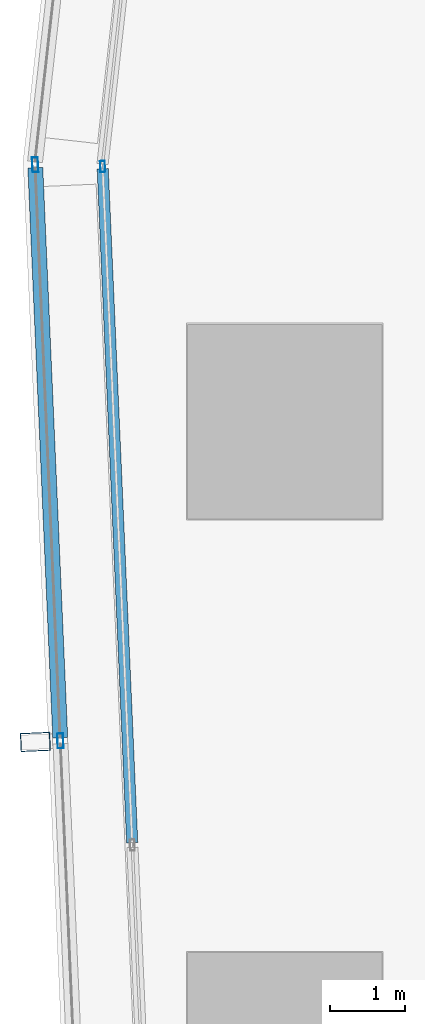
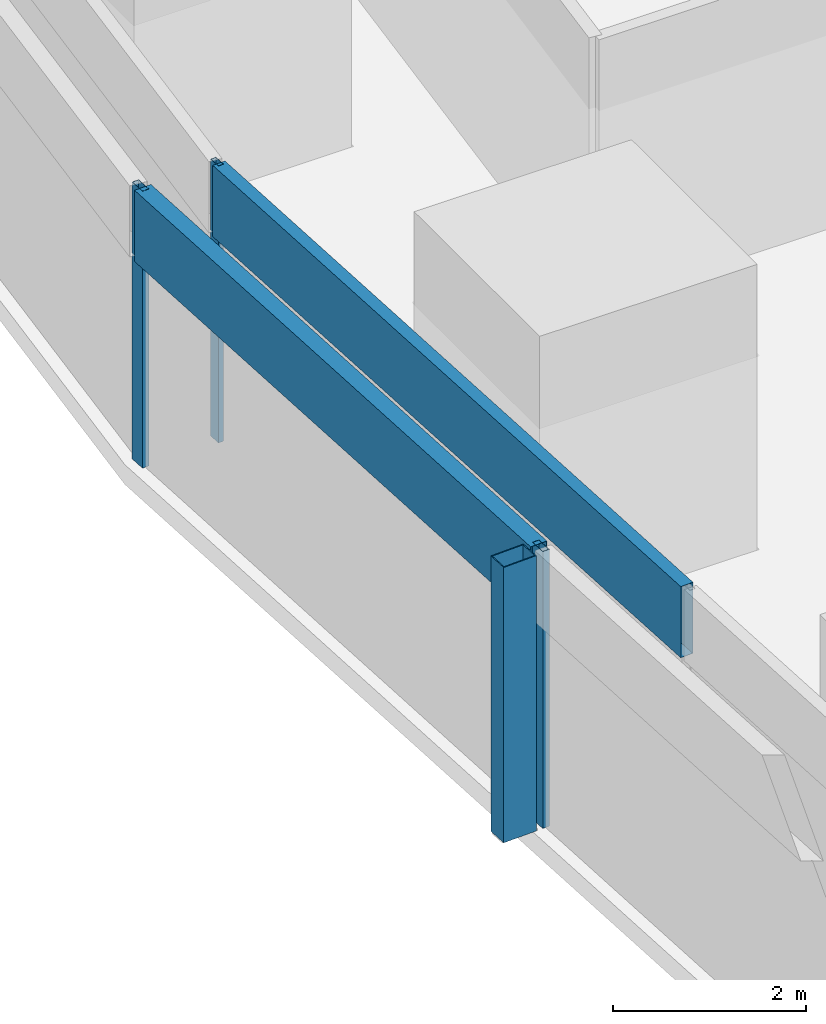
# One storey, part 14 of 46: 6 members, 2 elements without a shape of their own.
"""IFC4 building model written with IfcOpenShell, lengths in metres."""

from ifc_helpers import new_model, si_unit, direction, frame, origin, origin_2d, place, context, subcontext, project, spatial, hollow_rectangle, extrude, material, material_profile, profile_set, type_object, element, aggregate, save


model = new_model("IFC4")

# Units and contexts
model_context = context("Model", 3, precision=1e-05, world=origin(), true_north=direction((0.0, 1.0)))
body_context = subcontext(model_context, "Body", "Model", "MODEL_VIEW")
ifc_project = project(units=[si_unit("LENGTHUNIT", "METRE"), si_unit("AREAUNIT", "SQUARE_METRE"), si_unit("VOLUMEUNIT", "CUBIC_METRE"), si_unit("PLANEANGLEUNIT", "RADIAN"), si_unit("MASSUNIT", "GRAM", prefix="KILO")], contexts=[model_context])

# Site, building, storey
site_placement = place(None, origin())
site = spatial("IfcSite", under=ifc_project, at=site_placement, CompositionType="ELEMENT")
building_placement = place(site_placement, origin())
building = spatial("IfcBuilding", under=site, at=building_placement, Name="Rekha Terrace Tower", CompositionType="ELEMENT")
storey_placement = place(building_placement, frame((0.0, 0.0, 29.14990234375)))
storey = spatial("IfcBuildingStorey", under=building, at=storey_placement, Name="L06", CompositionType="ELEMENT", Elevation=29.14990234375)

# Curtain wall, member
ifc_material_1 = material(Name="Aluminium framing", Category="aluminium")
curtain_wall_type_1 = type_object("IfcCurtainWallType", Name="CW2 double skin outer glazing", PredefinedType="USERDEFINED", material=ifc_material_1)
curtain_wall_1_placement = place(storey_placement, origin())
curtain_wall_1 = element("IfcCurtainWall", 1, at=curtain_wall_1_placement, inside=storey, type_object=curtain_wall_type_1, Name="CW2 double skin outer glazing", ObjectType="DOUBLE SKIN OUTER GLAZING", PredefinedType="USERDEFINED")
ifc_material_2 = material(Name="Steel S355 with fluorocarbon finish", Category="steel")
ifc_material_profile_1 = material_profile(ifc_material_2, hollow_rectangle(XDim=0.25, YDim=0.39990234375, WallThickness=0.012451171875, at=origin_2d()), Name="RHS400x250x12.5")
ifc_profile_set_1 = profile_set([ifc_material_profile_1], Name="Steel S355 with fluorocarbon finish")
member_type_1 = type_object("IfcMemberType", Name="BL1 facade blade RHS 400 x 250", PredefinedType="USERDEFINED", material=ifc_profile_set_1)
member_1_placement = place(storey_placement, frame((5.064208984375, 37.715576171875, 0.02001953125), z_axis=(0.0, 0.0, 1.0), x_axis=(0.04368215933, -0.999045478923, 0.0)))
member_1 = element("IfcMember", 2, at=member_1_placement, type_object=member_type_1, Name="Facade blade", ObjectType="FACADE BLADE", PredefinedType="USERDEFINED", context=body_context, shape_type="SweptSolid", body=[
    extrude(hollow_rectangle(XDim=0.25, YDim=0.39990234375, WallThickness=0.012451171875, at=origin_2d()), origin(), (0.0, 0.0, 1.0), 3.47998046875),
])

# Curtain wall, members
curtain_wall_type_2 = type_object("IfcCurtainWallType", Name="CW1 double skin inner glazing", PredefinedType="USERDEFINED", material=ifc_material_1)
curtain_wall_2_placement = place(storey_placement, origin())
curtain_wall_2 = element("IfcCurtainWall", 3, at=curtain_wall_2_placement, inside=storey, type_object=curtain_wall_type_2, Name="CW1 double skin inner glazing", ObjectType="DOUBLE SKIN INNER GLAZING", PredefinedType="USERDEFINED")
ifc_material_3 = material(Name="Aluminium mullion section", Category="aluminium")
ifc_material_profile_2 = material_profile(ifc_material_3, hollow_rectangle(XDim=0.06494140625, YDim=0.14990234375, WallThickness=0.00390625, at=origin_2d()), Name="AL RHS 65x150")
ifc_profile_set_2 = profile_set([ifc_material_profile_2], Name="Aluminium mullion section")
member_type_2 = type_object("IfcMemberType", Name="CW1 mullion RHS 65 x 150", PredefinedType="MULLION", material=ifc_profile_set_2)
member_2_placement = place(storey_placement, frame((5.964111328125, 45.4111328125, 0.0), z_axis=(0.0, 0.0, 1.0), x_axis=(0.999045462133, 0.043682543337, 0.0)))
member_2 = element("IfcMember", 4, at=member_2_placement, type_object=member_type_2, Name="CW1 mullion 1", PredefinedType="MULLION", context=body_context, shape_type="SweptSolid", body=[
    extrude(hollow_rectangle(XDim=0.06494140625, YDim=0.14990234375, WallThickness=0.00390625, at=origin_2d()), origin(), (0.0, 0.0, 1.0), 3.5),
])
ifc_material_4 = material(Name="Insulated aluminium spandrel box", Category="aluminium")
ifc_material_profile_3 = material_profile(ifc_material_4, hollow_rectangle(XDim=0.14990234375, YDim=0.89990234375, WallThickness=0.0029296875, at=origin_2d()), Name="AL SPANDREL BOX 150x900")
ifc_profile_set_3 = profile_set([ifc_material_profile_3], Name="Insulated aluminium spandrel box")
member_type_3 = type_object("IfcMemberType", Name="CW1 spandrel transom 150 x 900", PredefinedType="USERDEFINED", material=ifc_profile_set_3)
member_3_placement = place(storey_placement, frame((5.96533203125, 45.378662109375, 3.050048828125), z_axis=(0.043694510777, -0.999044938793, 0.0), x_axis=(0.999044938793, 0.043694510777, 0.0)))
member_3 = element("IfcMember", 5, at=member_3_placement, type_object=member_type_3, Name="CW1 spandrel transom 1", ObjectType="TRANSOM", PredefinedType="USERDEFINED", context=body_context, shape_type="SweptSolid", body=[
    extrude(hollow_rectangle(XDim=0.14990234375, YDim=0.89990234375, WallThickness=0.0029296875, at=origin_2d()), origin(), (0.0, 0.0, 1.0), 9.01806640625),
])
aggregate(curtain_wall_2, [member_2, member_3])

# Member
ifc_material_profile_4 = material_profile(ifc_material_3, hollow_rectangle(XDim=0.080078125, YDim=0.199951171875, WallThickness=0.00390625, at=origin_2d()), Name="AL RHS 80x200")
ifc_profile_set_4 = profile_set([ifc_material_profile_4], Name="Aluminium mullion section")
member_type_4 = type_object("IfcMemberType", Name="CW2 mullion RHS 80 x 200", PredefinedType="MULLION", material=ifc_profile_set_4)
member_4_placement = place(storey_placement, frame((5.062255859375, 45.4345703125, 0.0), z_axis=(0.0, 0.0, 1.0), x_axis=(0.999045462131, 0.043682543372, 0.0)))
member_4 = element("IfcMember", 6, at=member_4_placement, type_object=member_type_4, Name="CW2 mullion 1", PredefinedType="MULLION", context=body_context, shape_type="SweptSolid", body=[
    extrude(hollow_rectangle(XDim=0.080078125, YDim=0.199951171875, WallThickness=0.00390625, at=origin_2d()), origin(), (0.0, 0.0, 1.0), 3.5),
])

member_5_placement = place(storey_placement, frame((5.39892578125, 37.730224609375, 0.0), z_axis=(0.0, 0.0, 1.0), x_axis=(0.999045462131, 0.043682543372, 0.0)))
member_5 = element("IfcMember", 7, at=member_5_placement, type_object=member_type_4, Name="CW2 mullion 2", PredefinedType="MULLION", context=body_context, shape_type="SweptSolid", body=[
    extrude(hollow_rectangle(XDim=0.080078125, YDim=0.199951171875, WallThickness=0.00390625, at=origin_2d()), origin(), (0.0, 0.0, 1.0), 3.5),
])

ifc_material_profile_5 = material_profile(ifc_material_4, hollow_rectangle(XDim=0.199951171875, YDim=0.89990234375, WallThickness=0.0029296875, at=origin_2d()), Name="AL SPANDREL BOX 200x900")
ifc_profile_set_5 = profile_set([ifc_material_profile_5], Name="Insulated aluminium spandrel box")
member_type_5 = type_object("IfcMemberType", Name="CW2 spandrel transom 200 x 900", PredefinedType="USERDEFINED", material=ifc_profile_set_5)
member_6_placement = place(storey_placement, frame((5.06396484375, 45.39453125, 3.050048828125), z_axis=(0.043666283256, -0.99904617296, 0.0), x_axis=(0.99904617296, 0.043666283256, 0.0)))
member_6 = element("IfcMember", 8, at=member_6_placement, type_object=member_type_5, Name="CW2 spandrel transom 1", ObjectType="TRANSOM", PredefinedType="USERDEFINED", context=body_context, shape_type="SweptSolid", body=[
    extrude(hollow_rectangle(XDim=0.199951171875, YDim=0.89990234375, WallThickness=0.0029296875, at=origin_2d()), origin(), (0.0, 0.0, 1.0), 7.6318359375),
])

aggregate(curtain_wall_1, [member_4, member_5, member_6, member_1])

save(model, "model.ifc")
